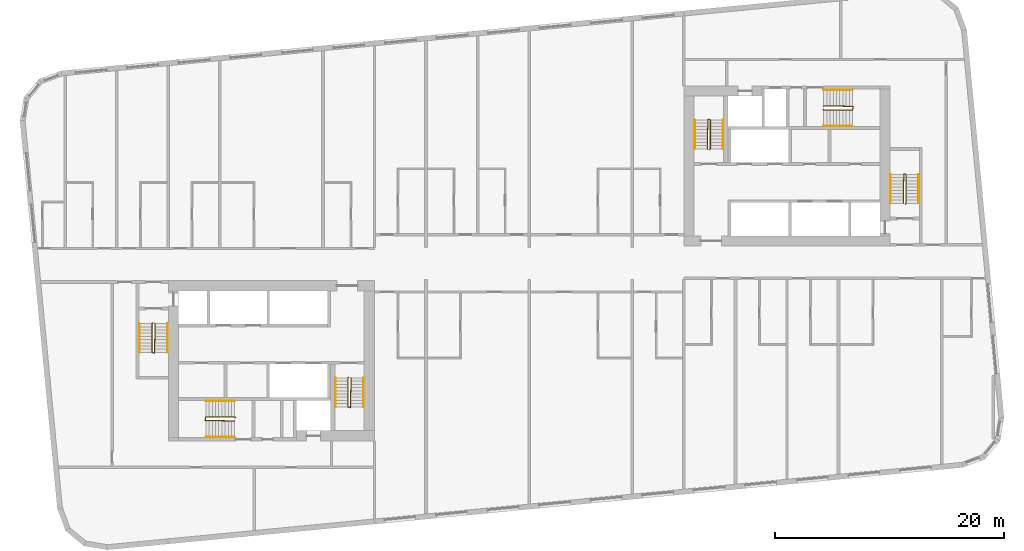
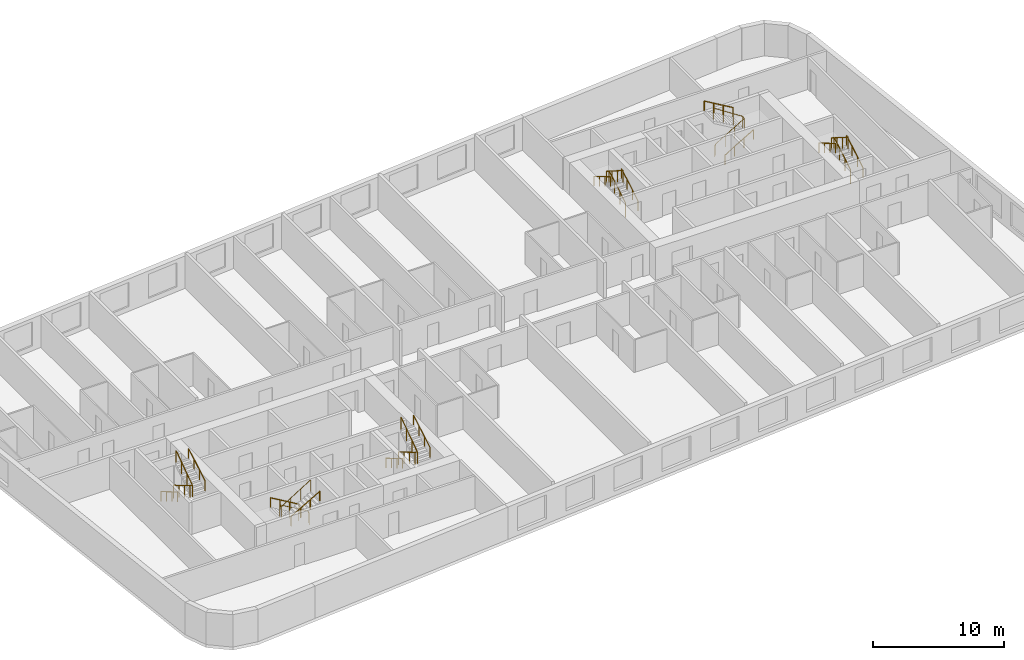
# One storey, part 12 of 12: 18 railings.
"""IFC4 building model written with IfcOpenShell, lengths in metres."""

import ifcopenshell
import ifcopenshell.guid

model = None  # the IFC model being written
_history = None  # IfcOwnerHistory: only IFC2X3 demands one
_inside = {}  # id of a spatial element -> (the spatial element, [elements in it])
_under = {}  # id of a project, library or spatial element -> (it, [spatial elements below it])
_declared = {}  # id of a project -> (the project, [libraries it declares])
_typed = {}  # id of a type object -> (the type object, [elements of that type])
_made_of = {}  # id of a material, layer set ... -> (it, [elements and type objects made of it])


def new_model(schema):
    """Start an empty IFC model of exactly this schema.

    Asked for "IFC4X3", IfcOpenShell would pick the latest addendum, in which some entities
    have other attributes; the version numbers below select the first issue.
    IFC2X3 requires an IfcOwnerHistory on every rooted entity: one is made here for all.
    """
    global model, _history
    if schema == "IFC4X3":
        model = ifcopenshell.file(schema_version=(4, 3, 0, 0))
    else:
        model = ifcopenshell.file(schema=schema)
    _inside.clear()
    _under.clear()
    _declared.clear()
    _typed.clear()
    _made_of.clear()
    _history = None
    if model.schema == "IFC2X3":
        org = make("IfcOrganization", Name="unknown")
        user = make(
            "IfcPersonAndOrganization",
            ThePerson=make("IfcPerson", FamilyName="unknown"),
            TheOrganization=org,
        )
        app = make(
            "IfcApplication",
            ApplicationDeveloper=org,
            Version="unknown",
            ApplicationFullName="unknown",
            ApplicationIdentifier="unknown",
        )
        _history = make(
            "IfcOwnerHistory",
            OwningUser=user,
            OwningApplication=app,
            ChangeAction="ADDED",
            CreationDate=0,
        )
    return model


def make(cls, **values):
    """One entity of the class cls with the attributes given. An attribute that is None is left unset."""
    return model.create_entity(
        cls, **{name: value for name, value in values.items() if value is not None}
    )


def rooted(cls, **values):
    """An entity with a GlobalId (a new one), such as an element, a storey or a relation."""
    return make(cls, GlobalId=ifcopenshell.guid.new(), OwnerHistory=_history, **values)


def si_unit(unit_type, name, prefix=None):
    """IfcSIUnit, for example si_unit("LENGTHUNIT", "METRE", prefix="MILLI")."""
    return make("IfcSIUnit", UnitType=unit_type, Prefix=prefix, Name=name)


def assignment(units):
    """IfcUnitAssignment: the units of a project."""
    return None if units is None else make("IfcUnitAssignment", Units=units)


def point(xyz):
    """IfcCartesianPoint."""
    return None if xyz is None else make("IfcCartesianPoint", Coordinates=xyz)


def direction(xyz):
    """IfcDirection."""
    return None if xyz is None else make("IfcDirection", DirectionRatios=xyz)


def frame(location, z_axis=None, x_axis=None):
    """IfcAxis2Placement3D, a coordinate frame: its origin and axes. An axis left out is left unset."""
    return make(
        "IfcAxis2Placement3D",
        Location=point(location),
        Axis=direction(z_axis),
        RefDirection=direction(x_axis),
    )


def frame_2d(location, x_axis=None):
    """IfcAxis2Placement2D, a coordinate frame in the plane: its origin and x axis."""
    return make(
        "IfcAxis2Placement2D", Location=point(location), RefDirection=direction(x_axis)
    )


def origin():
    """The frame at (0, 0, 0) with its axes left unset."""
    return frame((0.0, 0.0, 0.0))


def origin_2d():
    """The frame at (0, 0) in the plane with its x axis left unset."""
    return frame_2d((0.0, 0.0))


def place(relative_to, where):
    """IfcLocalPlacement: puts the frame where relative to a parent placement (None: the world)."""
    return make(
        "IfcLocalPlacement", PlacementRelTo=relative_to, RelativePlacement=where
    )


def context(
    kind, dimensions, precision=None, world=None, true_north=None, identifier=None
):
    """IfcGeometricRepresentationContext, for example the 3D "Model" context."""
    return make(
        "IfcGeometricRepresentationContext",
        ContextIdentifier=identifier,
        ContextType=kind,
        CoordinateSpaceDimension=dimensions,
        Precision=precision,
        WorldCoordinateSystem=world,
        TrueNorth=true_north,
    )


def subcontext(parent, identifier, kind, view, scale=None):
    """IfcGeometricRepresentationSubContext, for example "Body" below "Model"."""
    return make(
        "IfcGeometricRepresentationSubContext",
        ContextIdentifier=identifier,
        ContextType=kind,
        ParentContext=parent,
        TargetScale=scale,
        TargetView=view,
    )


def project(units=None, contexts=None):
    """IfcProject with its units and contexts."""
    return rooted(
        "IfcProject",
        Name="project",
        RepresentationContexts=contexts,
        UnitsInContext=assignment(units),
    )


def spatial(cls, under=None, at=None, **own):
    """A site, building, storey or space (cls), placed at a placement, below another one or the project."""
    s = rooted(cls, ObjectPlacement=at, **own)
    if under is not None:
        _under.setdefault(under.id(), (under, []))[1].append(s)
    return s


def profile(cls, at=None, kind="AREA", **sizes):
    """A parametric profile (cls). Its sizes go by their IFC names, for example OverallWidth=200.0."""
    return make(cls, ProfileType=kind, Position=at, **sizes)


def circle(**sizes):
    """IfcCircleProfileDef."""
    return profile("IfcCircleProfileDef", **sizes)


def extrude(swept, where, along, depth):
    """IfcExtrudedAreaSolid: the profile swept, set in the frame where, extruded along a direction by depth."""
    return make(
        "IfcExtrudedAreaSolid",
        SweptArea=swept,
        Position=where,
        ExtrudedDirection=direction(along),
        Depth=depth,
    )


def shape(context_of_items, identifier, shape_type, items):
    """IfcShapeRepresentation: the items that make up one representation, for example the "Body"."""
    return make(
        "IfcShapeRepresentation",
        ContextOfItems=context_of_items,
        RepresentationIdentifier=identifier,
        RepresentationType=shape_type,
        Items=items,
    )


def material(Name=None, Category=None):
    """IfcMaterial."""
    return make("IfcMaterial", Name=Name, Category=Category)


def made_of(thing, what):
    """Note that an element or type object is made of a material, layer set ...; save() writes the relation."""
    if what is not None:
        _made_of.setdefault(what.id(), (what, []))[1].append(thing)
    return thing


def type_object(cls, material=None, **own):
    """A type object (cls), such as IfcWallType, which elements share."""
    return made_of(rooted(cls, **own), material)


def element(
    cls,
    number,
    at=None,
    inside=None,
    cuts=None,
    type_object=None,
    material=None,
    context=None,
    identifier="Body",
    shape_type=None,
    held_by="IfcProductDefinitionShape",
    body=None,
    shapes=None,
    **own,
):
    """One element of the class cls, such as IfcWall. Its Tag is "e" and its number.

    at: its placement. inside: the storey or other place that contains it. cuts: it is an
    opening in that element (IfcRelVoidsElement). A single representation is given by context,
    identifier, shape_type and body (its items); several are given by shapes. held_by: the class
    of the entity that holds the representations. save() writes the other relations.
    """
    e = rooted(cls, Tag="e%d" % number, ObjectPlacement=at, **own)
    if body is not None:
        shapes = [shape(context, identifier, shape_type, body)]
    if shapes is not None:
        e.Representation = make(held_by, Representations=shapes)
    if inside is not None:
        _inside.setdefault(inside.id(), (inside, []))[1].append(e)
    if cuts is not None:
        rooted(
            "IfcRelVoidsElement", RelatingBuildingElement=cuts, RelatedOpeningElement=e
        )
    if type_object is not None:
        _typed.setdefault(type_object.id(), (type_object, []))[1].append(e)
    return made_of(e, material)


def aggregate(whole, parts):
    """IfcRelAggregates: a whole, such as a stair, and the parts it consists of."""
    return rooted("IfcRelAggregates", RelatingObject=whole, RelatedObjects=parts)


def save(model, path):
    """Write the relations noted so far, then the file.

    IfcRelAggregates (storeys below a building ...), IfcRelContainedInSpatialStructure (elements
    in a storey), IfcRelDefinesByType, IfcRelAssociatesMaterial and IfcRelDeclares: one each for
    every whole, place, type object, material and project.
    """
    for whole, parts in _under.values():
        aggregate(whole, parts)
    for where, things in _inside.values():
        rooted(
            "IfcRelContainedInSpatialStructure",
            RelatedElements=things,
            RelatingStructure=where,
        )
    for kind, things in _typed.values():
        rooted("IfcRelDefinesByType", RelatedObjects=things, RelatingType=kind)
    for what, things in _made_of.values():
        rooted("IfcRelAssociatesMaterial", RelatedObjects=things, RelatingMaterial=what)
    for by, libraries in _declared.values():
        rooted("IfcRelDeclares", RelatingContext=by, RelatedDefinitions=libraries)
    model.write(path)


model = new_model("IFC4")

# Units and contexts
model_context = context("Model", 3, precision=1e-05, world=origin(), true_north=direction((0.0, 1.0)))
body_context = subcontext(model_context, "Body", "Model", "MODEL_VIEW")
ifc_project = project(units=[si_unit("LENGTHUNIT", "METRE"), si_unit("AREAUNIT", "SQUARE_METRE"), si_unit("VOLUMEUNIT", "CUBIC_METRE"), si_unit("PLANEANGLEUNIT", "RADIAN"), si_unit("MASSUNIT", "GRAM", prefix="KILO")], contexts=[model_context])

# Site, building, storey
site_placement = place(None, origin())
site = spatial("IfcSite", under=ifc_project, at=site_placement, CompositionType="ELEMENT")
building_placement = place(site_placement, origin())
building = spatial("IfcBuilding", under=site, at=building_placement, Name="Kajstack Hotel Tower", CompositionType="ELEMENT")
storey_placement = place(building_placement, frame((0.0, 0.0, 170.199951171875)))
storey = spatial("IfcBuildingStorey", under=building, at=storey_placement, Name="L39", CompositionType="ELEMENT", Elevation=170.199951171875)

# Railings
ifc_material = material(Name="Steel S355J2", Category="steel")
railing_type_1 = type_object("IfcRailingType", Name="Stair guard 1100", PredefinedType="GUARDRAIL", material=ifc_material)
railing_1_placement = place(storey_placement, frame((-32.85009765625, -5.199951171875, 0.0)))
element("IfcRailing", 1, at=railing_1_placement, inside=storey, type_object=railing_type_1, Name="L39 W1 stair guard 1", PredefinedType="GUARDRAIL", context=body_context, shape_type="SweptSolid", body=[
    extrude(circle(Radius=0.02392578125, at=origin_2d()), frame((0.0, 0.0, 1.076171875), z_axis=(-0.277450376394, -0.278810427259, 0.919394384522), x_axis=(0.708833529934, -0.705375805398, 0.0)), (0.0, 0.0, 1.0), 0.179443359375),
    extrude(circle(Radius=0.02392578125, at=origin_2d()), frame((-0.0498046875, -0.050048828125, 1.2412109375), z_axis=(0.0, -0.86152411907, 0.507716645641), x_axis=(1.0, 0.0, 0.0)), (0.0, 0.0, 1.0), 2.925048828125),
    extrude(circle(Radius=0.02392578125, at=origin_2d()), frame((-0.0498046875, -2.570068359375, 2.72607421875), z_axis=(0.970072785993, -0.242814311512, 0.0), x_axis=(0.242814311512, 0.970072785993, 0.0)), (0.0, 0.0, 1.0), 0.2060546875),
    extrude(circle(Radius=0.02392578125, at=origin_2d()), frame((0.150146484375, -2.6201171875, 2.72607421875), z_axis=(0.016385308676, 0.841405582595, 0.540155687962), x_axis=(-0.999810440751, 0.019470042781, 0.0)), (0.0, 0.0, 1.0), 3.054443359375),
    extrude(circle(Radius=0.02099609375, at=origin_2d()), origin(), (0.0, 0.0, 1.0), 1.052001953125),
    extrude(circle(Radius=0.02099609375, at=origin_2d()), frame((-0.0498046875, -0.050048828125, 0.1650390625)), (0.0, 0.0, 1.0), 1.052001953125),
    extrude(circle(Radius=0.02099609375, at=origin_2d()), frame((-0.0498046875, -0.89013671875, 0.66015625)), (0.0, 0.0, 1.0), 1.052001953125),
    extrude(circle(Radius=0.02099609375, at=origin_2d()), frame((-0.0498046875, -1.72998046875, 1.155029296875)), (0.0, 0.0, 1.0), 1.052001953125),
    extrude(circle(Radius=0.02099609375, at=origin_2d()), frame((-0.0498046875, -2.570068359375, 1.650146484375)), (0.0, 0.0, 1.0), 1.052001953125),
    extrude(circle(Radius=0.02099609375, at=origin_2d()), frame((0.150146484375, -2.6201171875, 1.650146484375)), (0.0, 0.0, 1.0), 1.052001953125),
    extrude(circle(Radius=0.02099609375, at=origin_2d()), frame((0.166748046875, -1.763427734375, 2.2001953125)), (0.0, 0.0, 1.0), 1.052001953125),
    extrude(circle(Radius=0.02099609375, at=origin_2d()), frame((0.18359375, -0.90673828125, 2.75)), (0.0, 0.0, 1.0), 1.052001953125),
    extrude(circle(Radius=0.02099609375, at=origin_2d()), frame((0.2001953125, -0.050048828125, 3.300048828125)), (0.0, 0.0, 1.0), 1.052001953125),
])
railing_2_placement = place(storey_placement, frame((-15.75, -9.949951171875, 0.0)))
element("IfcRailing", 2, at=railing_2_placement, inside=storey, type_object=railing_type_1, Name="L39 W2 stair guard 1", PredefinedType="GUARDRAIL", context=body_context, shape_type="SweptSolid", body=[
    extrude(circle(Radius=0.02392578125, at=origin_2d()), frame((0.0, 0.0, 1.076171875), z_axis=(-0.278705021027, -0.278705021027, 0.919046801044), x_axis=(0.707106781187, -0.707106781187, 0.0)), (0.0, 0.0, 1.0), 0.1796875),
    extrude(circle(Radius=0.02392578125, at=origin_2d()), frame((-0.050048828125, -0.050048828125, 1.2412109375), z_axis=(0.0, -0.86152411907, 0.507716645641), x_axis=(1.0, 0.0, 0.0)), (0.0, 0.0, 1.0), 2.925048828125),
    extrude(circle(Radius=0.02392578125, at=origin_2d()), frame((-0.050048828125, -2.570068359375, 2.72607421875), z_axis=(0.970072785993, -0.242814311512, 0.0), x_axis=(0.242814311512, 0.970072785993, 0.0)), (0.0, 0.0, 1.0), 0.2060546875),
    extrude(circle(Radius=0.02392578125, at=origin_2d()), frame((0.14990234375, -2.6201171875, 2.72607421875), z_axis=(0.016385308676, 0.841405582595, 0.540155687962), x_axis=(-0.999810440751, 0.019470042781, 0.0)), (0.0, 0.0, 1.0), 3.054443359375),
    extrude(circle(Radius=0.02099609375, at=origin_2d()), origin(), (0.0, 0.0, 1.0), 1.052001953125),
    extrude(circle(Radius=0.02099609375, at=origin_2d()), frame((-0.050048828125, -0.050048828125, 0.1650390625)), (0.0, 0.0, 1.0), 1.052001953125),
    extrude(circle(Radius=0.02099609375, at=origin_2d()), frame((-0.050048828125, -0.89013671875, 0.66015625)), (0.0, 0.0, 1.0), 1.052001953125),
    extrude(circle(Radius=0.02099609375, at=origin_2d()), frame((-0.050048828125, -1.72998046875, 1.155029296875)), (0.0, 0.0, 1.0), 1.052001953125),
    extrude(circle(Radius=0.02099609375, at=origin_2d()), frame((-0.050048828125, -2.570068359375, 1.650146484375)), (0.0, 0.0, 1.0), 1.052001953125),
    extrude(circle(Radius=0.02099609375, at=origin_2d()), frame((0.14990234375, -2.6201171875, 1.650146484375)), (0.0, 0.0, 1.0), 1.052001953125),
    extrude(circle(Radius=0.02099609375, at=origin_2d()), frame((0.16650390625, -1.763427734375, 2.2001953125)), (0.0, 0.0, 1.0), 1.052001953125),
    extrude(circle(Radius=0.02099609375, at=origin_2d()), frame((0.183349609375, -0.90673828125, 2.75)), (0.0, 0.0, 1.0), 1.052001953125),
    extrude(circle(Radius=0.02099609375, at=origin_2d()), frame((0.199951171875, -0.050048828125, 3.300048828125)), (0.0, 0.0, 1.0), 1.052001953125),
])
railing_3_placement = place(storey_placement, frame((-25.64990234375, -13.449951171875, 0.0)))
element("IfcRailing", 3, at=railing_3_placement, inside=storey, type_object=railing_type_1, Name="L39 W3 stair guard 1", PredefinedType="GUARDRAIL", context=body_context, shape_type="SweptSolid", body=[
    extrude(circle(Radius=0.02392578125, at=origin_2d()), frame((0.0, 0.0, 1.076171875), z_axis=(-0.278705021027, 0.278705021027, 0.919046801044), x_axis=(-0.707106781187, -0.707106781187, 0.0)), (0.0, 0.0, 1.0), 0.1796875),
    extrude(circle(Radius=0.02392578125, at=origin_2d()), frame((-0.050048828125, 0.050048828125, 1.2412109375), z_axis=(-0.86152411907, 0.0, 0.507716645641), x_axis=(0.0, -1.0, 0.0)), (0.0, 0.0, 1.0), 2.925048828125),
    extrude(circle(Radius=0.02392578125, at=origin_2d()), frame((-2.570068359375, 0.050048828125, 2.72607421875), z_axis=(-0.164529134168, -0.986372223864, 0.0), x_axis=(0.986372223864, -0.164529134168, 0.0)), (0.0, 0.0, 1.0), 0.30419921875),
    extrude(circle(Radius=0.02392578125, at=origin_2d()), frame((-2.6201171875, -0.25, 2.72607421875), z_axis=(0.841405582595, -0.016385308676, 0.540155687962), x_axis=(0.019470042781, 0.999810440751, 0.0)), (0.0, 0.0, 1.0), 3.054443359375),
    extrude(circle(Radius=0.02099609375, at=origin_2d()), origin(), (0.0, 0.0, 1.0), 1.052001953125),
    extrude(circle(Radius=0.02099609375, at=origin_2d()), frame((-0.050048828125, 0.050048828125, 0.1650390625)), (0.0, 0.0, 1.0), 1.052001953125),
    extrude(circle(Radius=0.02099609375, at=origin_2d()), frame((-0.89013671875, 0.050048828125, 0.66015625)), (0.0, 0.0, 1.0), 1.052001953125),
    extrude(circle(Radius=0.02099609375, at=origin_2d()), frame((-1.72998046875, 0.050048828125, 1.155029296875)), (0.0, 0.0, 1.0), 1.052001953125),
    extrude(circle(Radius=0.02099609375, at=origin_2d()), frame((-2.570068359375, 0.050048828125, 1.650146484375)), (0.0, 0.0, 1.0), 1.052001953125),
    extrude(circle(Radius=0.02099609375, at=origin_2d()), frame((-2.6201171875, -0.25, 1.650146484375)), (0.0, 0.0, 1.0), 1.052001953125),
    extrude(circle(Radius=0.02099609375, at=origin_2d()), frame((-1.763427734375, -0.2666015625, 2.2001953125)), (0.0, 0.0, 1.0), 1.052001953125),
    extrude(circle(Radius=0.02099609375, at=origin_2d()), frame((-0.90673828125, -0.283447265625, 2.75)), (0.0, 0.0, 1.0), 1.052001953125),
    extrude(circle(Radius=0.02099609375, at=origin_2d()), frame((-0.050048828125, -0.300048828125, 3.300048828125)), (0.0, 0.0, 1.0), 1.052001953125),
])
railing_4_placement = place(storey_placement, frame((32.85009765625, 5.199951171875, 0.0)))
element("IfcRailing", 4, at=railing_4_placement, inside=storey, type_object=railing_type_1, Name="L39 E1 stair guard 1", PredefinedType="GUARDRAIL", context=body_context, shape_type="SweptSolid", body=[
    extrude(circle(Radius=0.02392578125, at=origin_2d()), frame((0.0, 0.0, 1.076171875), z_axis=(0.277450376394, 0.278810427259, 0.919394384522), x_axis=(-0.708833529934, 0.705375805398, 0.0)), (0.0, 0.0, 1.0), 0.179443359375),
    extrude(circle(Radius=0.02392578125, at=origin_2d()), frame((0.0498046875, 0.050048828125, 1.2412109375), z_axis=(0.0, 0.86152411907, 0.507716645641), x_axis=(-1.0, 0.0, 0.0)), (0.0, 0.0, 1.0), 2.925048828125),
    extrude(circle(Radius=0.02392578125, at=origin_2d()), frame((0.0498046875, 2.570068359375, 2.72607421875), z_axis=(-0.970072785993, 0.242814311512, 0.0), x_axis=(-0.242814311512, -0.970072785993, 0.0)), (0.0, 0.0, 1.0), 0.2060546875),
    extrude(circle(Radius=0.02392578125, at=origin_2d()), frame((-0.150146484375, 2.6201171875, 2.72607421875), z_axis=(-0.016385308676, -0.841405582595, 0.540155687962), x_axis=(0.999810440751, -0.019470042781, 0.0)), (0.0, 0.0, 1.0), 3.054443359375),
    extrude(circle(Radius=0.02099609375, at=origin_2d()), origin(), (0.0, 0.0, 1.0), 1.052001953125),
    extrude(circle(Radius=0.02099609375, at=origin_2d()), frame((0.0498046875, 0.050048828125, 0.1650390625)), (0.0, 0.0, 1.0), 1.052001953125),
    extrude(circle(Radius=0.02099609375, at=origin_2d()), frame((0.0498046875, 0.89013671875, 0.66015625)), (0.0, 0.0, 1.0), 1.052001953125),
    extrude(circle(Radius=0.02099609375, at=origin_2d()), frame((0.0498046875, 1.72998046875, 1.155029296875)), (0.0, 0.0, 1.0), 1.052001953125),
    extrude(circle(Radius=0.02099609375, at=origin_2d()), frame((0.0498046875, 2.570068359375, 1.650146484375)), (0.0, 0.0, 1.0), 1.052001953125),
    extrude(circle(Radius=0.02099609375, at=origin_2d()), frame((-0.150146484375, 2.6201171875, 1.650146484375)), (0.0, 0.0, 1.0), 1.052001953125),
    extrude(circle(Radius=0.02099609375, at=origin_2d()), frame((-0.166748046875, 1.763427734375, 2.2001953125)), (0.0, 0.0, 1.0), 1.052001953125),
    extrude(circle(Radius=0.02099609375, at=origin_2d()), frame((-0.18359375, 0.90673828125, 2.75)), (0.0, 0.0, 1.0), 1.052001953125),
    extrude(circle(Radius=0.02099609375, at=origin_2d()), frame((-0.2001953125, 0.050048828125, 3.300048828125)), (0.0, 0.0, 1.0), 1.052001953125),
])
railing_5_placement = place(storey_placement, frame((15.75, 9.949951171875, 0.0)))
element("IfcRailing", 5, at=railing_5_placement, inside=storey, type_object=railing_type_1, Name="L39 E2 stair guard 1", PredefinedType="GUARDRAIL", context=body_context, shape_type="SweptSolid", body=[
    extrude(circle(Radius=0.02392578125, at=origin_2d()), frame((0.0, 0.0, 1.076171875), z_axis=(0.278705021027, 0.278705021027, 0.919046801044), x_axis=(-0.707106781187, 0.707106781187, 0.0)), (0.0, 0.0, 1.0), 0.1796875),
    extrude(circle(Radius=0.02392578125, at=origin_2d()), frame((0.050048828125, 0.050048828125, 1.2412109375), z_axis=(0.0, 0.86152411907, 0.507716645641), x_axis=(-1.0, 0.0, 0.0)), (0.0, 0.0, 1.0), 2.925048828125),
    extrude(circle(Radius=0.02392578125, at=origin_2d()), frame((0.050048828125, 2.570068359375, 2.72607421875), z_axis=(-0.970072785993, 0.242814311512, 0.0), x_axis=(-0.242814311512, -0.970072785993, 0.0)), (0.0, 0.0, 1.0), 0.2060546875),
    extrude(circle(Radius=0.02392578125, at=origin_2d()), frame((-0.14990234375, 2.6201171875, 2.72607421875), z_axis=(-0.016385308676, -0.841405582595, 0.540155687962), x_axis=(0.999810440751, -0.019470042781, 0.0)), (0.0, 0.0, 1.0), 3.054443359375),
    extrude(circle(Radius=0.02099609375, at=origin_2d()), origin(), (0.0, 0.0, 1.0), 1.052001953125),
    extrude(circle(Radius=0.02099609375, at=origin_2d()), frame((0.050048828125, 0.050048828125, 0.1650390625)), (0.0, 0.0, 1.0), 1.052001953125),
    extrude(circle(Radius=0.02099609375, at=origin_2d()), frame((0.050048828125, 0.89013671875, 0.66015625)), (0.0, 0.0, 1.0), 1.052001953125),
    extrude(circle(Radius=0.02099609375, at=origin_2d()), frame((0.050048828125, 1.72998046875, 1.155029296875)), (0.0, 0.0, 1.0), 1.052001953125),
    extrude(circle(Radius=0.02099609375, at=origin_2d()), frame((0.050048828125, 2.570068359375, 1.650146484375)), (0.0, 0.0, 1.0), 1.052001953125),
    extrude(circle(Radius=0.02099609375, at=origin_2d()), frame((-0.14990234375, 2.6201171875, 1.650146484375)), (0.0, 0.0, 1.0), 1.052001953125),
    extrude(circle(Radius=0.02099609375, at=origin_2d()), frame((-0.16650390625, 1.763427734375, 2.2001953125)), (0.0, 0.0, 1.0), 1.052001953125),
    extrude(circle(Radius=0.02099609375, at=origin_2d()), frame((-0.183349609375, 0.90673828125, 2.75)), (0.0, 0.0, 1.0), 1.052001953125),
    extrude(circle(Radius=0.02099609375, at=origin_2d()), frame((-0.199951171875, 0.050048828125, 3.300048828125)), (0.0, 0.0, 1.0), 1.052001953125),
])
railing_6_placement = place(storey_placement, frame((25.64990234375, 13.449951171875, 0.0)))
element("IfcRailing", 6, at=railing_6_placement, inside=storey, type_object=railing_type_1, Name="L39 E3 stair guard 1", PredefinedType="GUARDRAIL", context=body_context, shape_type="SweptSolid", body=[
    extrude(circle(Radius=0.02392578125, at=origin_2d()), frame((0.0, 0.0, 1.076171875), z_axis=(0.278705021027, -0.278705021027, 0.919046801044), x_axis=(0.707106781187, 0.707106781187, 0.0)), (0.0, 0.0, 1.0), 0.1796875),
    extrude(circle(Radius=0.02392578125, at=origin_2d()), frame((0.050048828125, -0.050048828125, 1.2412109375), z_axis=(0.86152411907, 0.0, 0.507716645641), x_axis=(0.0, 1.0, 0.0)), (0.0, 0.0, 1.0), 2.925048828125),
    extrude(circle(Radius=0.02392578125, at=origin_2d()), frame((2.570068359375, -0.050048828125, 2.72607421875), z_axis=(0.164529134168, 0.986372223864, 0.0), x_axis=(-0.986372223864, 0.164529134168, 0.0)), (0.0, 0.0, 1.0), 0.30419921875),
    extrude(circle(Radius=0.02392578125, at=origin_2d()), frame((2.6201171875, 0.25, 2.72607421875), z_axis=(-0.841405582595, 0.016385308676, 0.540155687962), x_axis=(-0.019470042781, -0.999810440751, 0.0)), (0.0, 0.0, 1.0), 3.054443359375),
    extrude(circle(Radius=0.02099609375, at=origin_2d()), origin(), (0.0, 0.0, 1.0), 1.052001953125),
    extrude(circle(Radius=0.02099609375, at=origin_2d()), frame((0.050048828125, -0.050048828125, 0.1650390625)), (0.0, 0.0, 1.0), 1.052001953125),
    extrude(circle(Radius=0.02099609375, at=origin_2d()), frame((0.89013671875, -0.050048828125, 0.66015625)), (0.0, 0.0, 1.0), 1.052001953125),
    extrude(circle(Radius=0.02099609375, at=origin_2d()), frame((1.72998046875, -0.050048828125, 1.155029296875)), (0.0, 0.0, 1.0), 1.052001953125),
    extrude(circle(Radius=0.02099609375, at=origin_2d()), frame((2.570068359375, -0.050048828125, 1.650146484375)), (0.0, 0.0, 1.0), 1.052001953125),
    extrude(circle(Radius=0.02099609375, at=origin_2d()), frame((2.6201171875, 0.25, 1.650146484375)), (0.0, 0.0, 1.0), 1.052001953125),
    extrude(circle(Radius=0.02099609375, at=origin_2d()), frame((1.763427734375, 0.2666015625, 2.2001953125)), (0.0, 0.0, 1.0), 1.052001953125),
    extrude(circle(Radius=0.02099609375, at=origin_2d()), frame((0.90673828125, 0.283447265625, 2.75)), (0.0, 0.0, 1.0), 1.052001953125),
    extrude(circle(Radius=0.02099609375, at=origin_2d()), frame((0.050048828125, 0.300048828125, 3.300048828125)), (0.0, 0.0, 1.0), 1.052001953125),
])
railing_type_2 = type_object("IfcRailingType", Name="Stair handrail 900", PredefinedType="HANDRAIL", material=ifc_material)
railing_7_placement = place(storey_placement, frame((-34.0, -5.25, 0.1650390625)))
element("IfcRailing", 7, at=railing_7_placement, inside=storey, type_object=railing_type_2, Name="L39 W1 stair handrail 1", PredefinedType="HANDRAIL", context=body_context, shape_type="SweptSolid", body=[
    extrude(circle(Radius=0.02392578125, at=origin_2d()), frame((0.0, 0.0, 0.8759765625), z_axis=(0.0, -0.86152411907, 0.507716645641), x_axis=(1.0, 0.0, 0.0)), (0.0, 0.0, 1.0), 2.925048828125),
    extrude(circle(Radius=0.02099609375, at=origin_2d()), origin(), (0.0, 0.0, 1.0), 0.851806640625),
    extrude(circle(Radius=0.02099609375, at=origin_2d()), frame((0.0, -0.840087890625, 0.4951171875)), (0.0, 0.0, 1.0), 0.851806640625),
    extrude(circle(Radius=0.02099609375, at=origin_2d()), frame((0.0, -1.679931640625, 0.989990234375)), (0.0, 0.0, 1.0), 0.851806640625),
    extrude(circle(Radius=0.02099609375, at=origin_2d()), frame((0.0, -2.52001953125, 1.485107421875)), (0.0, 0.0, 1.0), 0.851806640625),
])
railing_8_placement = place(storey_placement, frame((-31.550048828125, -7.77001953125, 1.81494140625)))
element("IfcRailing", 8, at=railing_8_placement, inside=storey, type_object=railing_type_2, Name="L39 W1 stair handrail 2", PredefinedType="HANDRAIL", context=body_context, shape_type="SweptSolid", body=[
    extrude(circle(Radius=0.02392578125, at=origin_2d()), frame((0.0, 0.0, 0.8759765625), z_axis=(0.0, 0.86152411907, 0.507716645641), x_axis=(-1.0, 0.0, 0.0)), (0.0, 0.0, 1.0), 2.925048828125),
    extrude(circle(Radius=0.02099609375, at=origin_2d()), origin(), (0.0, 0.0, 1.0), 0.851806640625),
    extrude(circle(Radius=0.02099609375, at=origin_2d()), frame((0.0, 0.840087890625, 0.4951171875)), (0.0, 0.0, 1.0), 0.851806640625),
    extrude(circle(Radius=0.02099609375, at=origin_2d()), frame((0.0, 1.679931640625, 0.989990234375)), (0.0, 0.0, 1.0), 0.851806640625),
    extrude(circle(Radius=0.02099609375, at=origin_2d()), frame((0.0, 2.52001953125, 1.485107421875)), (0.0, 0.0, 1.0), 0.851806640625),
])
railing_9_placement = place(storey_placement, frame((-16.89990234375, -10.0, 0.1650390625)))
element("IfcRailing", 9, at=railing_9_placement, inside=storey, type_object=railing_type_2, Name="L39 W2 stair handrail 1", PredefinedType="HANDRAIL", context=body_context, shape_type="SweptSolid", body=[
    extrude(circle(Radius=0.02392578125, at=origin_2d()), frame((0.0, 0.0, 0.8759765625), z_axis=(0.0, -0.86152411907, 0.507716645641), x_axis=(1.0, 0.0, 0.0)), (0.0, 0.0, 1.0), 2.925048828125),
    extrude(circle(Radius=0.02099609375, at=origin_2d()), origin(), (0.0, 0.0, 1.0), 0.851806640625),
    extrude(circle(Radius=0.02099609375, at=origin_2d()), frame((0.0, -0.840087890625, 0.4951171875)), (0.0, 0.0, 1.0), 0.851806640625),
    extrude(circle(Radius=0.02099609375, at=origin_2d()), frame((0.0, -1.679931640625, 0.989990234375)), (0.0, 0.0, 1.0), 0.851806640625),
    extrude(circle(Radius=0.02099609375, at=origin_2d()), frame((0.0, -2.52001953125, 1.485107421875)), (0.0, 0.0, 1.0), 0.851806640625),
])
railing_10_placement = place(storey_placement, frame((-14.449951171875, -12.52001953125, 1.81494140625)))
element("IfcRailing", 10, at=railing_10_placement, inside=storey, type_object=railing_type_2, Name="L39 W2 stair handrail 2", PredefinedType="HANDRAIL", context=body_context, shape_type="SweptSolid", body=[
    extrude(circle(Radius=0.02392578125, at=origin_2d()), frame((0.0, 0.0, 0.8759765625), z_axis=(0.0, 0.86152411907, 0.507716645641), x_axis=(-1.0, 0.0, 0.0)), (0.0, 0.0, 1.0), 2.925048828125),
    extrude(circle(Radius=0.02099609375, at=origin_2d()), origin(), (0.0, 0.0, 1.0), 0.851806640625),
    extrude(circle(Radius=0.02099609375, at=origin_2d()), frame((0.0, 0.840087890625, 0.4951171875)), (0.0, 0.0, 1.0), 0.851806640625),
    extrude(circle(Radius=0.02099609375, at=origin_2d()), frame((0.0, 1.679931640625, 0.989990234375)), (0.0, 0.0, 1.0), 0.851806640625),
    extrude(circle(Radius=0.02099609375, at=origin_2d()), frame((0.0, 2.52001953125, 1.485107421875)), (0.0, 0.0, 1.0), 0.851806640625),
])
railing_11_placement = place(storey_placement, frame((-25.699951171875, -12.0, 0.1650390625)))
element("IfcRailing", 11, at=railing_11_placement, inside=storey, type_object=railing_type_2, Name="L39 W3 stair handrail 1", PredefinedType="HANDRAIL", context=body_context, shape_type="SweptSolid", body=[
    extrude(circle(Radius=0.02392578125, at=origin_2d()), frame((0.0, 0.0, 0.8759765625), z_axis=(-0.86152411907, 0.0, 0.507716645641), x_axis=(0.0, -1.0, 0.0)), (0.0, 0.0, 1.0), 2.925048828125),
    extrude(circle(Radius=0.02099609375, at=origin_2d()), origin(), (0.0, 0.0, 1.0), 0.851806640625),
    extrude(circle(Radius=0.02099609375, at=origin_2d()), frame((-0.840087890625, 0.0, 0.4951171875)), (0.0, 0.0, 1.0), 0.851806640625),
    extrude(circle(Radius=0.02099609375, at=origin_2d()), frame((-1.679931640625, 0.0, 0.989990234375)), (0.0, 0.0, 1.0), 0.851806640625),
    extrude(circle(Radius=0.02099609375, at=origin_2d()), frame((-2.52001953125, 0.0, 1.485107421875)), (0.0, 0.0, 1.0), 0.851806640625),
])
railing_12_placement = place(storey_placement, frame((-28.219970703125, -15.14990234375, 1.81494140625)))
element("IfcRailing", 12, at=railing_12_placement, inside=storey, type_object=railing_type_2, Name="L39 W3 stair handrail 2", PredefinedType="HANDRAIL", context=body_context, shape_type="SweptSolid", body=[
    extrude(circle(Radius=0.02392578125, at=origin_2d()), frame((0.0, 0.0, 0.8759765625), z_axis=(0.86152411907, 0.0, 0.507716645641), x_axis=(0.0, 1.0, 0.0)), (0.0, 0.0, 1.0), 2.925048828125),
    extrude(circle(Radius=0.02099609375, at=origin_2d()), origin(), (0.0, 0.0, 1.0), 0.851806640625),
    extrude(circle(Radius=0.02099609375, at=origin_2d()), frame((0.840087890625, 0.0, 0.4951171875)), (0.0, 0.0, 1.0), 0.851806640625),
    extrude(circle(Radius=0.02099609375, at=origin_2d()), frame((1.679931640625, 0.0, 0.989990234375)), (0.0, 0.0, 1.0), 0.851806640625),
    extrude(circle(Radius=0.02099609375, at=origin_2d()), frame((2.52001953125, 0.0, 1.485107421875)), (0.0, 0.0, 1.0), 0.851806640625),
])
railing_13_placement = place(storey_placement, frame((34.0, 5.25, 0.1650390625)))
element("IfcRailing", 13, at=railing_13_placement, inside=storey, type_object=railing_type_2, Name="L39 E1 stair handrail 1", PredefinedType="HANDRAIL", context=body_context, shape_type="SweptSolid", body=[
    extrude(circle(Radius=0.02392578125, at=origin_2d()), frame((0.0, 0.0, 0.8759765625), z_axis=(0.0, 0.86152411907, 0.507716645641), x_axis=(-1.0, 0.0, 0.0)), (0.0, 0.0, 1.0), 2.925048828125),
    extrude(circle(Radius=0.02099609375, at=origin_2d()), origin(), (0.0, 0.0, 1.0), 0.851806640625),
    extrude(circle(Radius=0.02099609375, at=origin_2d()), frame((0.0, 0.840087890625, 0.4951171875)), (0.0, 0.0, 1.0), 0.851806640625),
    extrude(circle(Radius=0.02099609375, at=origin_2d()), frame((0.0, 1.679931640625, 0.989990234375)), (0.0, 0.0, 1.0), 0.851806640625),
    extrude(circle(Radius=0.02099609375, at=origin_2d()), frame((0.0, 2.52001953125, 1.485107421875)), (0.0, 0.0, 1.0), 0.851806640625),
])
railing_14_placement = place(storey_placement, frame((31.550048828125, 7.77001953125, 1.81494140625)))
element("IfcRailing", 14, at=railing_14_placement, inside=storey, type_object=railing_type_2, Name="L39 E1 stair handrail 2", PredefinedType="HANDRAIL", context=body_context, shape_type="SweptSolid", body=[
    extrude(circle(Radius=0.02392578125, at=origin_2d()), frame((0.0, 0.0, 0.8759765625), z_axis=(0.0, -0.86152411907, 0.507716645641), x_axis=(1.0, 0.0, 0.0)), (0.0, 0.0, 1.0), 2.925048828125),
    extrude(circle(Radius=0.02099609375, at=origin_2d()), origin(), (0.0, 0.0, 1.0), 0.851806640625),
    extrude(circle(Radius=0.02099609375, at=origin_2d()), frame((0.0, -0.840087890625, 0.4951171875)), (0.0, 0.0, 1.0), 0.851806640625),
    extrude(circle(Radius=0.02099609375, at=origin_2d()), frame((0.0, -1.679931640625, 0.989990234375)), (0.0, 0.0, 1.0), 0.851806640625),
    extrude(circle(Radius=0.02099609375, at=origin_2d()), frame((0.0, -2.52001953125, 1.485107421875)), (0.0, 0.0, 1.0), 0.851806640625),
])
railing_15_placement = place(storey_placement, frame((16.89990234375, 10.0, 0.1650390625)))
element("IfcRailing", 15, at=railing_15_placement, inside=storey, type_object=railing_type_2, Name="L39 E2 stair handrail 1", PredefinedType="HANDRAIL", context=body_context, shape_type="SweptSolid", body=[
    extrude(circle(Radius=0.02392578125, at=origin_2d()), frame((0.0, 0.0, 0.8759765625), z_axis=(0.0, 0.86152411907, 0.507716645641), x_axis=(-1.0, 0.0, 0.0)), (0.0, 0.0, 1.0), 2.925048828125),
    extrude(circle(Radius=0.02099609375, at=origin_2d()), origin(), (0.0, 0.0, 1.0), 0.851806640625),
    extrude(circle(Radius=0.02099609375, at=origin_2d()), frame((0.0, 0.840087890625, 0.4951171875)), (0.0, 0.0, 1.0), 0.851806640625),
    extrude(circle(Radius=0.02099609375, at=origin_2d()), frame((0.0, 1.679931640625, 0.989990234375)), (0.0, 0.0, 1.0), 0.851806640625),
    extrude(circle(Radius=0.02099609375, at=origin_2d()), frame((0.0, 2.52001953125, 1.485107421875)), (0.0, 0.0, 1.0), 0.851806640625),
])
railing_16_placement = place(storey_placement, frame((14.449951171875, 12.52001953125, 1.81494140625)))
element("IfcRailing", 16, at=railing_16_placement, inside=storey, type_object=railing_type_2, Name="L39 E2 stair handrail 2", PredefinedType="HANDRAIL", context=body_context, shape_type="SweptSolid", body=[
    extrude(circle(Radius=0.02392578125, at=origin_2d()), frame((0.0, 0.0, 0.8759765625), z_axis=(0.0, -0.86152411907, 0.507716645641), x_axis=(1.0, 0.0, 0.0)), (0.0, 0.0, 1.0), 2.925048828125),
    extrude(circle(Radius=0.02099609375, at=origin_2d()), origin(), (0.0, 0.0, 1.0), 0.851806640625),
    extrude(circle(Radius=0.02099609375, at=origin_2d()), frame((0.0, -0.840087890625, 0.4951171875)), (0.0, 0.0, 1.0), 0.851806640625),
    extrude(circle(Radius=0.02099609375, at=origin_2d()), frame((0.0, -1.679931640625, 0.989990234375)), (0.0, 0.0, 1.0), 0.851806640625),
    extrude(circle(Radius=0.02099609375, at=origin_2d()), frame((0.0, -2.52001953125, 1.485107421875)), (0.0, 0.0, 1.0), 0.851806640625),
])
railing_17_placement = place(storey_placement, frame((25.699951171875, 12.0, 0.1650390625)))
element("IfcRailing", 17, at=railing_17_placement, inside=storey, type_object=railing_type_2, Name="L39 E3 stair handrail 1", PredefinedType="HANDRAIL", context=body_context, shape_type="SweptSolid", body=[
    extrude(circle(Radius=0.02392578125, at=origin_2d()), frame((0.0, 0.0, 0.8759765625), z_axis=(0.86152411907, 0.0, 0.507716645641), x_axis=(0.0, 1.0, 0.0)), (0.0, 0.0, 1.0), 2.925048828125),
    extrude(circle(Radius=0.02099609375, at=origin_2d()), origin(), (0.0, 0.0, 1.0), 0.851806640625),
    extrude(circle(Radius=0.02099609375, at=origin_2d()), frame((0.840087890625, 0.0, 0.4951171875)), (0.0, 0.0, 1.0), 0.851806640625),
    extrude(circle(Radius=0.02099609375, at=origin_2d()), frame((1.679931640625, 0.0, 0.989990234375)), (0.0, 0.0, 1.0), 0.851806640625),
    extrude(circle(Radius=0.02099609375, at=origin_2d()), frame((2.52001953125, 0.0, 1.485107421875)), (0.0, 0.0, 1.0), 0.851806640625),
])
railing_18_placement = place(storey_placement, frame((28.219970703125, 15.14990234375, 1.81494140625)))
element("IfcRailing", 18, at=railing_18_placement, inside=storey, type_object=railing_type_2, Name="L39 E3 stair handrail 2", PredefinedType="HANDRAIL", context=body_context, shape_type="SweptSolid", body=[
    extrude(circle(Radius=0.02392578125, at=origin_2d()), frame((0.0, 0.0, 0.8759765625), z_axis=(-0.86152411907, 0.0, 0.507716645641), x_axis=(0.0, -1.0, 0.0)), (0.0, 0.0, 1.0), 2.925048828125),
    extrude(circle(Radius=0.02099609375, at=origin_2d()), origin(), (0.0, 0.0, 1.0), 0.851806640625),
    extrude(circle(Radius=0.02099609375, at=origin_2d()), frame((-0.840087890625, 0.0, 0.4951171875)), (0.0, 0.0, 1.0), 0.851806640625),
    extrude(circle(Radius=0.02099609375, at=origin_2d()), frame((-1.679931640625, 0.0, 0.989990234375)), (0.0, 0.0, 1.0), 0.851806640625),
    extrude(circle(Radius=0.02099609375, at=origin_2d()), frame((-2.52001953125, 0.0, 1.485107421875)), (0.0, 0.0, 1.0), 0.851806640625),
])

save(model, "model.ifc")
